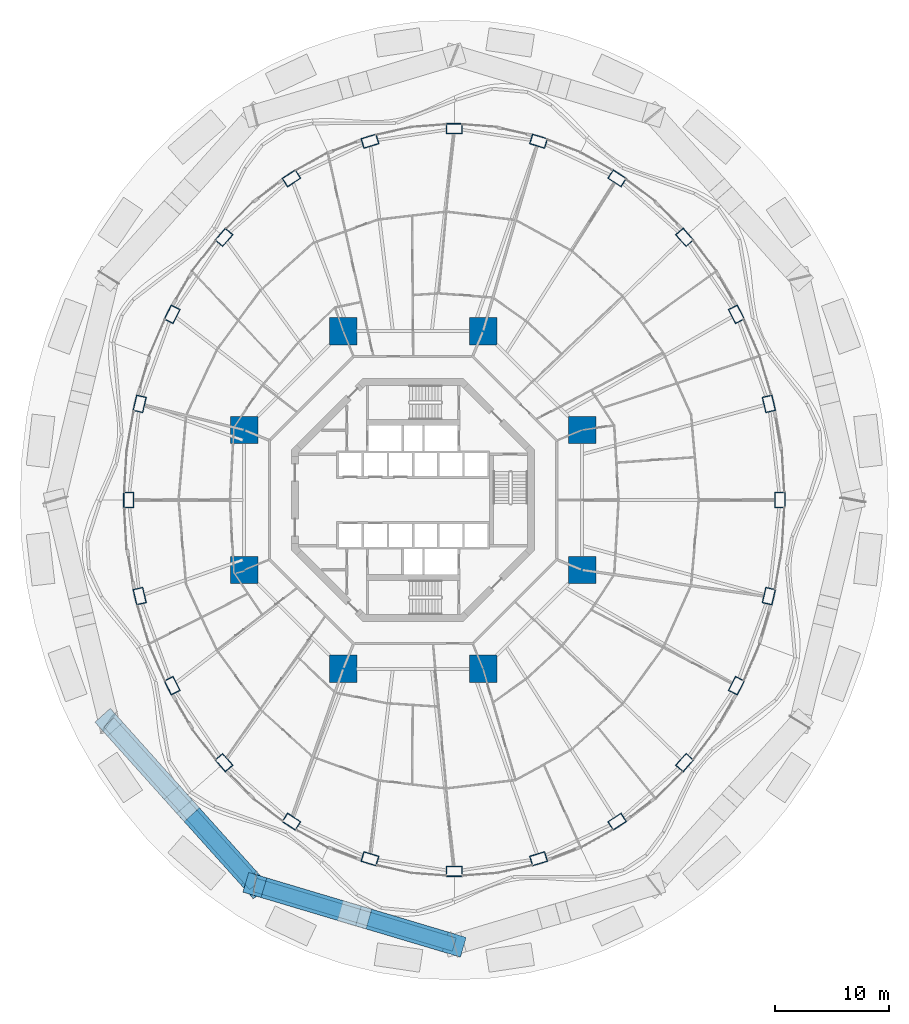
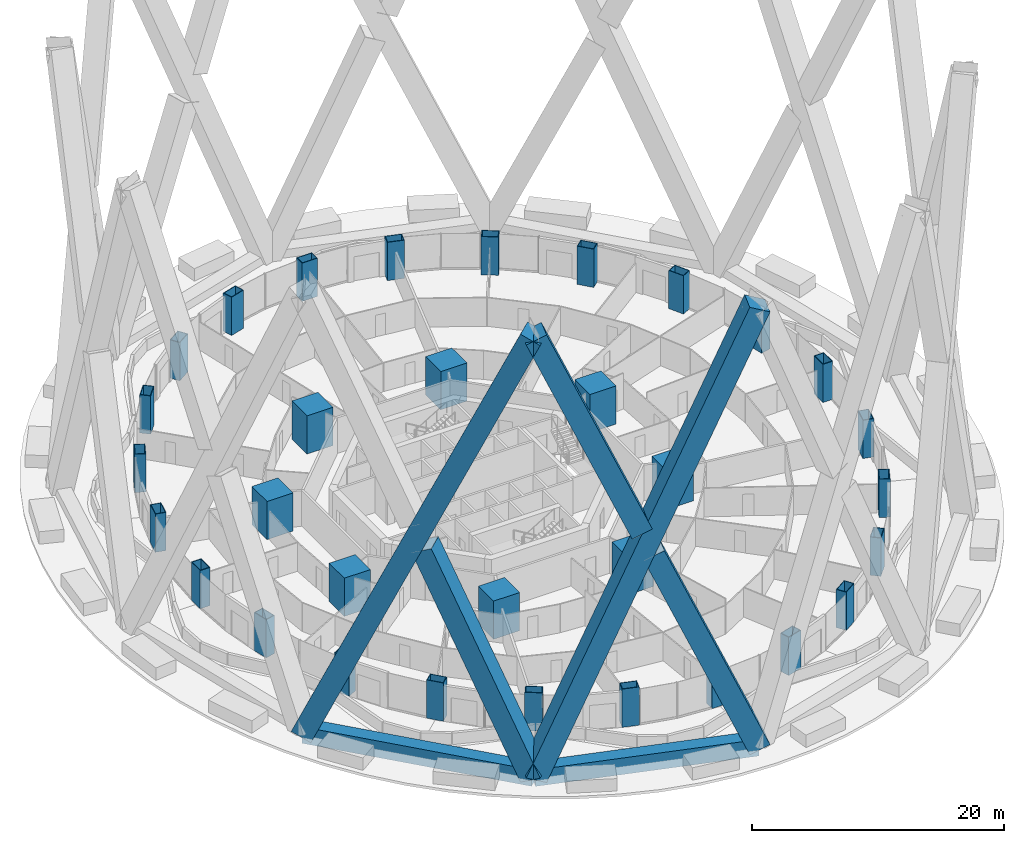
# One storey, part 1 of 42: 32 columns, 7 members.
"""IFC4 building model written with IfcOpenShell, lengths in metres."""

import ifcopenshell
import ifcopenshell.guid

model = None  # the IFC model being written
_history = None  # IfcOwnerHistory: only IFC2X3 demands one
_inside = {}  # id of a spatial element -> (the spatial element, [elements in it])
_under = {}  # id of a project, library or spatial element -> (it, [spatial elements below it])
_declared = {}  # id of a project -> (the project, [libraries it declares])
_typed = {}  # id of a type object -> (the type object, [elements of that type])
_made_of = {}  # id of a material, layer set ... -> (it, [elements and type objects made of it])


def new_model(schema):
    """Start an empty IFC model of exactly this schema.

    Asked for "IFC4X3", IfcOpenShell would pick the latest addendum, in which some entities
    have other attributes; the version numbers below select the first issue.
    IFC2X3 requires an IfcOwnerHistory on every rooted entity: one is made here for all.
    """
    global model, _history
    if schema == "IFC4X3":
        model = ifcopenshell.file(schema_version=(4, 3, 0, 0))
    else:
        model = ifcopenshell.file(schema=schema)
    _inside.clear()
    _under.clear()
    _declared.clear()
    _typed.clear()
    _made_of.clear()
    _history = None
    if model.schema == "IFC2X3":
        org = make("IfcOrganization", Name="unknown")
        user = make(
            "IfcPersonAndOrganization",
            ThePerson=make("IfcPerson", FamilyName="unknown"),
            TheOrganization=org,
        )
        app = make(
            "IfcApplication",
            ApplicationDeveloper=org,
            Version="unknown",
            ApplicationFullName="unknown",
            ApplicationIdentifier="unknown",
        )
        _history = make(
            "IfcOwnerHistory",
            OwningUser=user,
            OwningApplication=app,
            ChangeAction="ADDED",
            CreationDate=0,
        )
    return model


def make(cls, **values):
    """One entity of the class cls with the attributes given. An attribute that is None is left unset."""
    return model.create_entity(
        cls, **{name: value for name, value in values.items() if value is not None}
    )


def rooted(cls, **values):
    """An entity with a GlobalId (a new one), such as an element, a storey or a relation."""
    return make(cls, GlobalId=ifcopenshell.guid.new(), OwnerHistory=_history, **values)


def si_unit(unit_type, name, prefix=None):
    """IfcSIUnit, for example si_unit("LENGTHUNIT", "METRE", prefix="MILLI")."""
    return make("IfcSIUnit", UnitType=unit_type, Prefix=prefix, Name=name)


def assignment(units):
    """IfcUnitAssignment: the units of a project."""
    return None if units is None else make("IfcUnitAssignment", Units=units)


def point(xyz):
    """IfcCartesianPoint."""
    return None if xyz is None else make("IfcCartesianPoint", Coordinates=xyz)


def direction(xyz):
    """IfcDirection."""
    return None if xyz is None else make("IfcDirection", DirectionRatios=xyz)


def frame(location, z_axis=None, x_axis=None):
    """IfcAxis2Placement3D, a coordinate frame: its origin and axes. An axis left out is left unset."""
    return make(
        "IfcAxis2Placement3D",
        Location=point(location),
        Axis=direction(z_axis),
        RefDirection=direction(x_axis),
    )


def frame_2d(location, x_axis=None):
    """IfcAxis2Placement2D, a coordinate frame in the plane: its origin and x axis."""
    return make(
        "IfcAxis2Placement2D", Location=point(location), RefDirection=direction(x_axis)
    )


def origin():
    """The frame at (0, 0, 0) with its axes left unset."""
    return frame((0.0, 0.0, 0.0))


def origin_2d():
    """The frame at (0, 0) in the plane with its x axis left unset."""
    return frame_2d((0.0, 0.0))


def place(relative_to, where):
    """IfcLocalPlacement: puts the frame where relative to a parent placement (None: the world)."""
    return make(
        "IfcLocalPlacement", PlacementRelTo=relative_to, RelativePlacement=where
    )


def context(
    kind, dimensions, precision=None, world=None, true_north=None, identifier=None
):
    """IfcGeometricRepresentationContext, for example the 3D "Model" context."""
    return make(
        "IfcGeometricRepresentationContext",
        ContextIdentifier=identifier,
        ContextType=kind,
        CoordinateSpaceDimension=dimensions,
        Precision=precision,
        WorldCoordinateSystem=world,
        TrueNorth=true_north,
    )


def subcontext(parent, identifier, kind, view, scale=None):
    """IfcGeometricRepresentationSubContext, for example "Body" below "Model"."""
    return make(
        "IfcGeometricRepresentationSubContext",
        ContextIdentifier=identifier,
        ContextType=kind,
        ParentContext=parent,
        TargetScale=scale,
        TargetView=view,
    )


def project(units=None, contexts=None):
    """IfcProject with its units and contexts."""
    return rooted(
        "IfcProject",
        Name="project",
        RepresentationContexts=contexts,
        UnitsInContext=assignment(units),
    )


def spatial(cls, under=None, at=None, **own):
    """A site, building, storey or space (cls), placed at a placement, below another one or the project."""
    s = rooted(cls, ObjectPlacement=at, **own)
    if under is not None:
        _under.setdefault(under.id(), (under, []))[1].append(s)
    return s


def profile(cls, at=None, kind="AREA", **sizes):
    """A parametric profile (cls). Its sizes go by their IFC names, for example OverallWidth=200.0."""
    return make(cls, ProfileType=kind, Position=at, **sizes)


def rectangle(**sizes):
    """IfcRectangleProfileDef."""
    return profile("IfcRectangleProfileDef", **sizes)


def hollow_rectangle(**sizes):
    """IfcRectangleHollowProfileDef."""
    return profile("IfcRectangleHollowProfileDef", **sizes)


def extrude(swept, where, along, depth):
    """IfcExtrudedAreaSolid: the profile swept, set in the frame where, extruded along a direction by depth."""
    return make(
        "IfcExtrudedAreaSolid",
        SweptArea=swept,
        Position=where,
        ExtrudedDirection=direction(along),
        Depth=depth,
    )


def shape(context_of_items, identifier, shape_type, items):
    """IfcShapeRepresentation: the items that make up one representation, for example the "Body"."""
    return make(
        "IfcShapeRepresentation",
        ContextOfItems=context_of_items,
        RepresentationIdentifier=identifier,
        RepresentationType=shape_type,
        Items=items,
    )


def material(Name=None, Category=None):
    """IfcMaterial."""
    return make("IfcMaterial", Name=Name, Category=Category)


def material_profile(
    of_material, cross_section, Name=None, Category=None, Priority=None
):
    """IfcMaterialProfile: a cross section and its material."""
    return make(
        "IfcMaterialProfile",
        Name=Name,
        Material=of_material,
        Profile=cross_section,
        Priority=Priority,
        Category=Category,
    )


def profile_set(profiles, Name=None, composite=None):
    """IfcMaterialProfileSet."""
    return make(
        "IfcMaterialProfileSet",
        Name=Name,
        MaterialProfiles=profiles,
        CompositeProfile=composite,
    )


def made_of(thing, what):
    """Note that an element or type object is made of a material, layer set ...; save() writes the relation."""
    if what is not None:
        _made_of.setdefault(what.id(), (what, []))[1].append(thing)
    return thing


def type_object(cls, material=None, **own):
    """A type object (cls), such as IfcWallType, which elements share."""
    return made_of(rooted(cls, **own), material)


def element(
    cls,
    number,
    at=None,
    inside=None,
    cuts=None,
    type_object=None,
    material=None,
    context=None,
    identifier="Body",
    shape_type=None,
    held_by="IfcProductDefinitionShape",
    body=None,
    shapes=None,
    **own,
):
    """One element of the class cls, such as IfcWall. Its Tag is "e" and its number.

    at: its placement. inside: the storey or other place that contains it. cuts: it is an
    opening in that element (IfcRelVoidsElement). A single representation is given by context,
    identifier, shape_type and body (its items); several are given by shapes. held_by: the class
    of the entity that holds the representations. save() writes the other relations.
    """
    e = rooted(cls, Tag="e%d" % number, ObjectPlacement=at, **own)
    if body is not None:
        shapes = [shape(context, identifier, shape_type, body)]
    if shapes is not None:
        e.Representation = make(held_by, Representations=shapes)
    if inside is not None:
        _inside.setdefault(inside.id(), (inside, []))[1].append(e)
    if cuts is not None:
        rooted(
            "IfcRelVoidsElement", RelatingBuildingElement=cuts, RelatedOpeningElement=e
        )
    if type_object is not None:
        _typed.setdefault(type_object.id(), (type_object, []))[1].append(e)
    return made_of(e, material)


def aggregate(whole, parts):
    """IfcRelAggregates: a whole, such as a stair, and the parts it consists of."""
    return rooted("IfcRelAggregates", RelatingObject=whole, RelatedObjects=parts)


def save(model, path):
    """Write the relations noted so far, then the file.

    IfcRelAggregates (storeys below a building ...), IfcRelContainedInSpatialStructure (elements
    in a storey), IfcRelDefinesByType, IfcRelAssociatesMaterial and IfcRelDeclares: one each for
    every whole, place, type object, material and project.
    """
    for whole, parts in _under.values():
        aggregate(whole, parts)
    for where, things in _inside.values():
        rooted(
            "IfcRelContainedInSpatialStructure",
            RelatedElements=things,
            RelatingStructure=where,
        )
    for kind, things in _typed.values():
        rooted("IfcRelDefinesByType", RelatedObjects=things, RelatingType=kind)
    for what, things in _made_of.values():
        rooted("IfcRelAssociatesMaterial", RelatedObjects=things, RelatingMaterial=what)
    for by, libraries in _declared.values():
        rooted("IfcRelDeclares", RelatingContext=by, RelatedDefinitions=libraries)
    model.write(path)


model = new_model("IFC4")

# Units and contexts
model_context = context("Model", 3, precision=1e-05, world=origin(), true_north=direction((0.0, 1.0)))
body_context = subcontext(model_context, "Body", "Model", "MODEL_VIEW")
ifc_project = project(units=[si_unit("LENGTHUNIT", "METRE"), si_unit("AREAUNIT", "SQUARE_METRE"), si_unit("VOLUMEUNIT", "CUBIC_METRE"), si_unit("PLANEANGLEUNIT", "RADIAN"), si_unit("MASSUNIT", "GRAM", prefix="KILO")], contexts=[model_context])

# Site, building, storey
site_placement = place(None, origin())
site = spatial("IfcSite", under=ifc_project, at=site_placement, CompositionType="ELEMENT")
building_placement = place(site_placement, origin())
building = spatial("IfcBuilding", under=site, at=building_placement, Name="Nagisa Residences", CompositionType="ELEMENT")
storey_placement = place(building_placement, frame((0.0, 0.0, 27.0)))
storey = spatial("IfcBuildingStorey", under=building, at=storey_placement, Name="L05", CompositionType="ELEMENT", Elevation=27.0)

# Columns
ifc_material_1 = material(Name="Concrete C80", Category="concrete")
ifc_material_profile_1 = material_profile(ifc_material_1, rectangle(XDim=2.39990234375, YDim=2.39990234375, at=origin_2d()), Name="C80 2400x2400")
ifc_profile_set_1 = profile_set([ifc_material_profile_1], Name="Concrete C80")
column_type_1 = type_object("IfcColumnType", Name="Inner megacolumn C80 2400x2400", PredefinedType="COLUMN", material=ifc_profile_set_1)
for number, where, z_axis, x_axis, name in (
    (1, (14.781982421875, 6.123046875, 0.0), (0.0, 0.0, 1.0), (1.0, 0.0, 0.0), "col:L05:i1"),
    (2, (6.123046875, 14.781982421875, 0.0), (0.0, 0.0, 1.0), (1.0, 0.0, 0.0), "col:L05:i2"),
    (3, (-6.123046875, 14.781982421875, 0.0), (0.0, 0.0, 1.0), (1.0, 0.0, 0.0), "col:L05:i3"),
    (4, (-14.781982421875, 6.123046875, 0.0), (0.0, 0.0, 1.0), (1.0, 0.0, 0.0), "col:L05:i4"),
    (5, (-14.781982421875, -6.123046875, 0.0), (0.0, 0.0, 1.0), (1.0, 0.0, 0.0), "col:L05:i5"),
    (6, (-6.123046875, -14.781982421875, 0.0), (0.0, 0.0, 1.0), (1.0, 0.0, 0.0), "col:L05:i6"),
    (7, (6.123046875, -14.781982421875, 0.0), (0.0, 0.0, 1.0), (1.0, 0.0, 0.0), "col:L05:i7"),
    (8, (14.781982421875, -6.123046875, 0.0), (0.0, 0.0, 1.0), (1.0, 0.0, 0.0), "col:L05:i8"),
):
    element("IfcColumn", number, at=place(storey_placement, frame(where, z_axis=z_axis, x_axis=x_axis)), inside=storey, type_object=column_type_1, Name=name, PredefinedType="COLUMN", context=body_context, shape_type="SweptSolid", body=[
        extrude(rectangle(XDim=2.39990234375, YDim=2.39990234375, at=origin_2d()), origin(), (0.0, 0.0, 1.0), 3.699951171875),
    ])
ifc_material_2 = material(Name="Steel ASTM A572 Gr 50", Category="steel")
ifc_material_profile_2 = material_profile(ifc_material_2, hollow_rectangle(XDim=1.39990234375, YDim=0.89990234375, WallThickness=0.050048828125, at=origin_2d()), Name="BX 1400x900x50")
ifc_profile_set_2 = profile_set([ifc_material_profile_2], Name="Steel ASTM A572 Gr 50")
column_type_2 = type_object("IfcColumnType", Name="Perimeter column BX 1400x900x50", PredefinedType="COLUMN", material=ifc_profile_set_2)
for number, where, z_axis, x_axis, name in (
    (9, (32.10009765625, 0.0, 0.0), (0.0, 0.0, 1.0), (0.0, 1.0, 0.0), "col:L05:p00"),
    (10, (31.12890625, 8.41162109375, 0.0), (0.0, 0.0, 1.0), (-0.229202013103, 0.973378876486, 0.0), "col:L05:p01"),
    (11, (28.28173828125, 16.25, 0.0), (0.0, 0.0, 1.0), (-0.452462697578, 0.891783329795, 0.0), "col:L05:p02"),
    (12, (23.75244140625, 22.98095703125, 0.0), (0.0, 0.0, 1.0), (-0.660114607735, 0.751164898445, 0.0), "col:L05:p03"),
    (13, (17.85009765625, 28.145751953125, 0.0), (0.0, 0.0, 1.0), (-0.835766105673, 0.54908561865, 0.0), "col:L05:p04"),
    (14, (10.976318359375, 31.392578125, 0.0), (0.0, 0.0, 1.0), (-0.956524583408, 0.291651712384, 0.0), "col:L05:p05"),
    (15, (3.60009765625, 32.5, 0.0), (0.0, 0.0, 1.0), (-1.0, 0.0, 0.0), "col:L05:p06"),
    (16, (-3.7763671875, 31.392578125, 0.0), (0.0, 0.0, 1.0), (-0.956524583408, -0.291651712384, 0.0), "col:L05:p07"),
    (17, (-10.64990234375, 28.145751953125, 0.0), (0.0, 0.0, 1.0), (-0.835766105673, -0.54908561865, 0.0), "col:L05:p08"),
    (18, (-16.552490234375, 22.98095703125, 0.0), (0.0, 0.0, 1.0), (-0.660114607735, -0.751164898445, 0.0), "col:L05:p09"),
    (19, (-21.081787109375, 16.25, 0.0), (0.0, 0.0, 1.0), (-0.452462697578, -0.891783329795, 0.0), "col:L05:p10"),
    (20, (-23.928955078125, 8.41162109375, 0.0), (0.0, 0.0, 1.0), (-0.229202013103, -0.973378876486, 0.0), "col:L05:p11"),
    (21, (-24.89990234375, 0.0, 0.0), (0.0, 0.0, 1.0), (0.0, -1.0, 0.0), "col:L05:p12"),
    (22, (-23.928955078125, -8.41162109375, 0.0), (0.0, 0.0, 1.0), (0.229202013103, -0.973378876486, 0.0), "col:L05:p13"),
    (23, (-21.081787109375, -16.25, 0.0), (0.0, 0.0, 1.0), (0.452462697578, -0.891783329795, 0.0), "col:L05:p14"),
    (24, (-16.552490234375, -22.98095703125, 0.0), (0.0, 0.0, 1.0), (0.660114607735, -0.751164898445, 0.0), "col:L05:p15"),
    (25, (-10.64990234375, -28.145751953125, 0.0), (0.0, 0.0, 1.0), (0.835766105673, -0.54908561865, 0.0), "col:L05:p16"),
    (26, (-3.7763671875, -31.392578125, 0.0), (0.0, 0.0, 1.0), (0.956524583408, -0.291651712384, 0.0), "col:L05:p17"),
    (27, (3.60009765625, -32.5, 0.0), (0.0, 0.0, 1.0), (1.0, 0.0, 0.0), "col:L05:p18"),
    (28, (10.976318359375, -31.392578125, 0.0), (0.0, 0.0, 1.0), (0.956524583408, 0.291651712384, 0.0), "col:L05:p19"),
    (29, (17.85009765625, -28.145751953125, 0.0), (0.0, 0.0, 1.0), (0.835766105673, 0.54908561865, 0.0), "col:L05:p20"),
    (30, (23.75244140625, -22.98095703125, 0.0), (0.0, 0.0, 1.0), (0.660114607735, 0.751164898445, 0.0), "col:L05:p21"),
    (31, (28.28173828125, -16.25, 0.0), (0.0, 0.0, 1.0), (0.452462697578, 0.891783329795, 0.0), "col:L05:p22"),
    (32, (31.12890625, -8.41162109375, 0.0), (0.0, 0.0, 1.0), (0.229202013103, 0.973378876486, 0.0), "col:L05:p23"),
):
    element("IfcColumn", number, at=place(storey_placement, frame(where, z_axis=z_axis, x_axis=x_axis)), inside=storey, type_object=column_type_2, Name=name, PredefinedType="COLUMN", context=body_context, shape_type="SweptSolid", body=[
        extrude(hollow_rectangle(XDim=1.39990234375, YDim=0.89990234375, WallThickness=0.050048828125, at=origin_2d()), origin(), (0.0, 0.0, 1.0), 3.699951171875),
    ])

# Members
ifc_material_3 = material(Name="Concrete C80", Category="concrete")
ifc_material_profile_3 = material_profile(ifc_material_3, rectangle(XDim=1.800048828125, YDim=1.800048828125, at=origin_2d()), Name="C80 1800x1800")
ifc_profile_set_3 = profile_set([ifc_material_profile_3], Name="Concrete C80")
member_type_1 = type_object("IfcMemberType", Name="Cage diagonal 1 C80 1800x1800", PredefinedType="BRACE", material=ifc_profile_set_3)
member_1_placement = place(storey_placement, frame((-26.624267578125, -19.449951171875, 0.0), z_axis=(0.273549790011, -0.304907923919, 0.912250881236), x_axis=(0.744346060554, 0.66779408663, 0.0)))
element("IfcMember", 33, at=member_1_placement, inside=storey, type_object=member_type_1, Name="mem:L05:cg1d115", PredefinedType="BRACE", context=body_context, shape_type="SweptSolid", body=[
    extrude(rectangle(XDim=1.800048828125, YDim=1.800048828125, at=origin_2d()), origin(), (0.0, 0.0, 1.0), 46.69775390625),
])
member_2_placement = place(storey_placement, frame((-13.85009765625, -33.6884765625, 0.0), z_axis=(-0.273543129809, 0.304913462164, 0.912251027254), x_axis=(-0.744360171506, -0.667778357748, 0.0)))
element("IfcMember", 34, at=member_2_placement, inside=storey, type_object=member_type_1, Name="mem:L05:cg1d116a", PredefinedType="BRACE", context=body_context, shape_type="SweptSolid", body=[
    extrude(rectangle(XDim=1.800048828125, YDim=1.800048828125, at=origin_2d()), origin(), (0.0, 0.0, 1.0), 22.16455078125),
])
member_3_placement = place(storey_placement, frame((-13.85009765625, -33.6884765625, 0.0), z_axis=(0.376652851878, -0.112485754326, 0.91949963798), x_axis=(0.28615714292, 0.958182701553, 0.0)))
element("IfcMember", 35, at=member_3_placement, inside=storey, type_object=member_type_1, Name="mem:L05:cg1d117", PredefinedType="BRACE", context=body_context, shape_type="SweptSolid", body=[
    extrude(rectangle(XDim=1.800048828125, YDim=1.800048828125, at=origin_2d()), origin(), (0.0, 0.0, 1.0), 46.32958984375),
])
member_4_placement = place(storey_placement, frame((3.60009765625, -38.89990234375, 0.0), z_axis=(-0.376652868773, 0.112490659727, 0.919499030951), x_axis=(-0.286168588266, -0.958179283375, 0.0)))
element("IfcMember", 36, at=member_4_placement, inside=storey, type_object=member_type_1, Name="mem:L05:cg1d118a", PredefinedType="BRACE", context=body_context, shape_type="SweptSolid", body=[
    extrude(rectangle(XDim=1.800048828125, YDim=1.800048828125, at=origin_2d()), origin(), (0.0, 0.0, 1.0), 21.939697265625),
])
member_5_placement = place(storey_placement, frame((-5.58642578125, -36.156494140625, 22.42626953125), z_axis=(-0.376649014906, 0.112489508736, 0.919500750405), x_axis=(-0.286168588266, -0.958179283375, 0.0)))
element("IfcMember", 37, at=member_5_placement, inside=storey, type_object=member_type_1, Name="mem:L05:cg1d118b", PredefinedType="BRACE", context=body_context, shape_type="SweptSolid", body=[
    extrude(rectangle(XDim=1.800048828125, YDim=1.800048828125, at=origin_2d()), origin(), (0.0, 0.0, 1.0), 21.93994140625),
])
ifc_material_4 = material(Name="Concrete C80", Category="concrete")
ifc_material_profile_4 = material_profile(ifc_material_4, rectangle(XDim=1.199951171875, YDim=1.60009765625, at=origin_2d()), Name="C80 1200x1600")
ifc_profile_set_4 = profile_set([ifc_material_profile_4], Name="Concrete C80")
member_type_2 = type_object("IfcMemberType", Name="Cage ring 1 C80 1200x1600", PredefinedType="CHORD", material=ifc_profile_set_4)
member_6_placement = place(storey_placement, frame((-26.624267578125, -19.449951171875, 0.0), z_axis=(0.66779408663, -0.744346060554, 0.0), x_axis=(0.744346060554, 0.66779408663, 0.0)))
element("IfcMember", 38, at=member_6_placement, inside=storey, type_object=member_type_2, Name="beam:L05:cg1r108", PredefinedType="CHORD", context=body_context, shape_type="SweptSolid", body=[
    extrude(rectangle(XDim=1.199951171875, YDim=1.60009765625, at=origin_2d()), origin(), (0.0, 0.0, 1.0), 19.12890625),
])
member_7_placement = place(storey_placement, frame((-13.85009765625, -33.6884765625, 0.0), z_axis=(0.958182701553, -0.28615714292, 0.0), x_axis=(0.28615714292, 0.958182701553, 0.0)))
element("IfcMember", 39, at=member_7_placement, inside=storey, type_object=member_type_2, Name="beam:L05:cg1r109", PredefinedType="CHORD", context=body_context, shape_type="SweptSolid", body=[
    extrude(rectangle(XDim=1.199951171875, YDim=1.60009765625, at=origin_2d()), origin(), (0.0, 0.0, 1.0), 18.211669921875),
])

save(model, "model.ifc")
